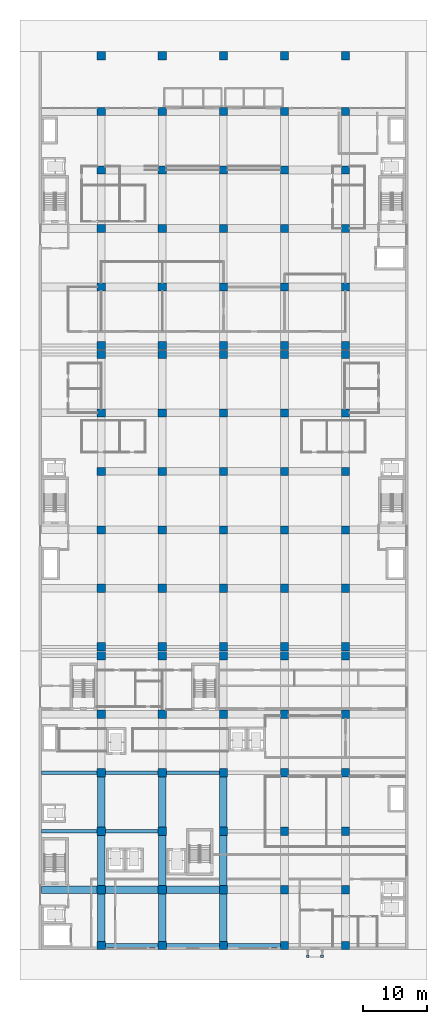
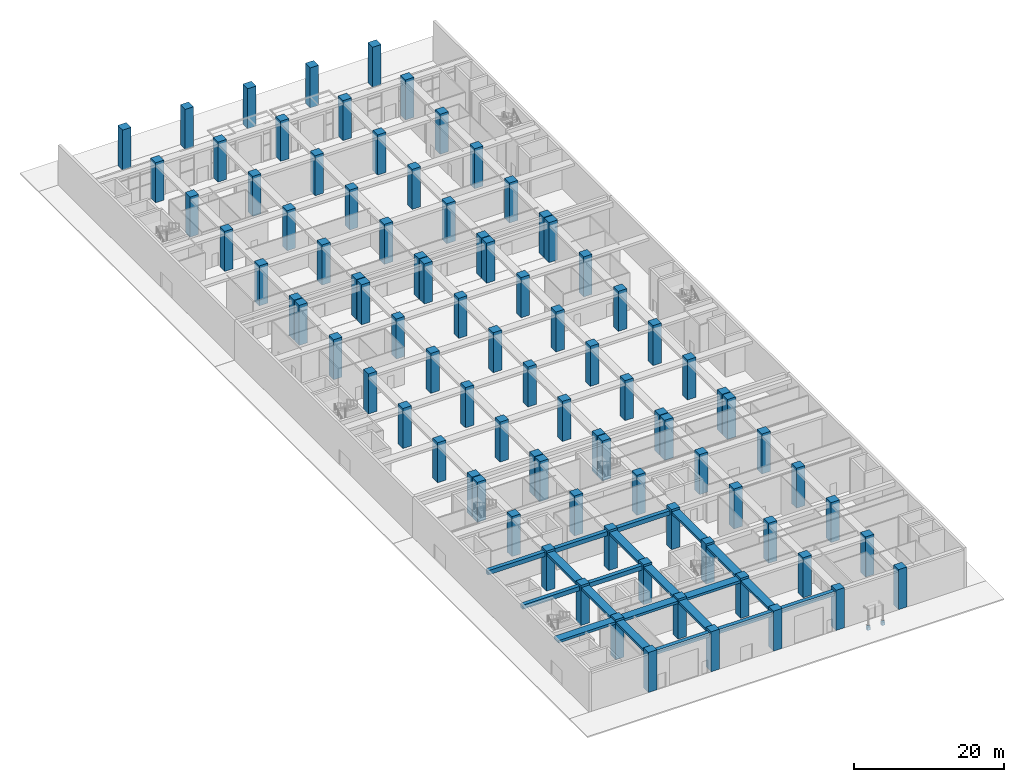
# One storey, part 1 of 45: 90 columns, 20 beams, 2 footings.
"""IFC4 building model written with IfcOpenShell, lengths in metres."""

from ifc_helpers import new_model, si_unit, direction, frame, origin, origin_2d, place, context, subcontext, project, spatial, polyline, rectangle, outline, extrude, material, layer, layer_set, material_profile, profile_set, type_object, element, save


model = new_model("IFC4")

# Units and contexts
model_context = context("Model", 3, precision=1e-05, world=origin(), true_north=direction((0.0, 1.0)))
body_context = subcontext(model_context, "Body", "Model", "MODEL_VIEW")
ifc_project = project(units=[si_unit("LENGTHUNIT", "METRE"), si_unit("AREAUNIT", "SQUARE_METRE"), si_unit("VOLUMEUNIT", "CUBIC_METRE"), si_unit("PLANEANGLEUNIT", "RADIAN"), si_unit("MASSUNIT", "GRAM", prefix="KILO")], contexts=[model_context])

# Site, building, storey
site_placement = place(None, origin())
site = spatial("IfcSite", under=ifc_project, at=site_placement, CompositionType="ELEMENT")
building_placement = place(site_placement, origin())
building = spatial("IfcBuilding", under=site, at=building_placement, Name="Nzadi Deep Aquarium and Research Tower", CompositionType="ELEMENT")
storey_placement = place(building_placement, origin())
storey = spatial("IfcBuildingStorey", under=building, at=storey_placement, Name="G", CompositionType="ELEMENT", Elevation=0.0)

# Footings
ifc_material_1 = material(Name="Concrete C35/45", Category="concrete")
ifc_layer = layer(ifc_material_1, 0.5)
ifc_layer_set = layer_set([ifc_layer], Name="Concrete C35/45")
footing_type = type_object("IfcFootingType", Name="RC post pad footing 450", PredefinedType="PAD_FOOTING", material=ifc_layer_set)
footing_1_placement = place(storey_placement, frame((0.0, 0.0, -0.699951171875)))
element("IfcFooting", 1, at=footing_1_placement, inside=storey, type_object=footing_type, Name="Canopy post pad footing", PredefinedType="PAD_FOOTING", context=body_context, shape_type="SweptSolid", body=[
    extrude(outline(polyline([(41.85009765625, -1.47509765625), (42.300048828125, -1.47509765625), (42.300048828125, -1.02490234375), (41.85009765625, -1.02490234375), (41.85009765625, -1.47509765625)])), origin(), (0.0, 0.0, 1.0), 0.5),
])
footing_2_placement = place(storey_placement, frame((0.0, 0.0, -0.699951171875)))
element("IfcFooting", 2, at=footing_2_placement, inside=storey, type_object=footing_type, Name="Canopy post pad footing", PredefinedType="PAD_FOOTING", context=body_context, shape_type="SweptSolid", body=[
    extrude(outline(polyline([(44.10009765625, -1.47509765625), (44.550048828125, -1.47509765625), (44.550048828125, -1.02490234375), (44.10009765625, -1.02490234375), (44.10009765625, -1.47509765625)])), origin(), (0.0, 0.0, 1.0), 0.5),
])

# Columns
ifc_material_2 = material(Name="Concrete C40/50", Category="concrete")
ifc_material_profile_1 = material_profile(ifc_material_2, rectangle(XDim=1.300048828125, YDim=1.300048828125, at=origin_2d()))
ifc_profile_set_1 = profile_set([ifc_material_profile_1], Name="Concrete C40/50")
column_type = type_object("IfcColumnType", Name="RC 1300x1300", PredefinedType="COLUMN", material=ifc_profile_set_1)
for number, where, z_axis, x_axis, name in (
    (3, (9.60009765625, 0.449951171875, 0.0), (0.0, 0.0, 1.0), (1.0, 0.0, 0.0), "C-Z1-G-B1"),
    (4, (19.199951171875, 0.449951171875, 0.0), (0.0, 0.0, 1.0), (1.0, 0.0, 0.0), "C-Z1-G-C1"),
    (5, (28.800048828125, 0.449951171875, 0.0), (0.0, 0.0, 1.0), (1.0, 0.0, 0.0), "C-Z1-G-D1"),
    (6, (38.39990234375, 0.449951171875, 0.0), (0.0, 0.0, 1.0), (1.0, 0.0, 0.0), "C-Z1-G-E1"),
    (7, (48.0, 0.449951171875, 0.0), (0.0, 0.0, 1.0), (1.0, 0.0, 0.0), "C-Z1-G-F1"),
    (8, (9.60009765625, 9.199951171875, 0.0), (0.0, 0.0, 1.0), (1.0, 0.0, 0.0), "C-Z1-G-B2"),
    (9, (19.199951171875, 9.199951171875, 0.0), (0.0, 0.0, 1.0), (1.0, 0.0, 0.0), "C-Z1-G-C2"),
    (10, (28.800048828125, 9.199951171875, 0.0), (0.0, 0.0, 1.0), (1.0, 0.0, 0.0), "C-Z1-G-D2"),
    (11, (38.39990234375, 9.199951171875, 0.0), (0.0, 0.0, 1.0), (1.0, 0.0, 0.0), "C-Z1-G-E2"),
    (12, (48.0, 9.199951171875, 0.0), (0.0, 0.0, 1.0), (1.0, 0.0, 0.0), "C-Z1-G-F2"),
    (13, (9.60009765625, 18.39990234375, 0.0), (0.0, 0.0, 1.0), (1.0, 0.0, 0.0), "C-Z1-G-B3"),
    (14, (19.199951171875, 18.39990234375, 0.0), (0.0, 0.0, 1.0), (1.0, 0.0, 0.0), "C-Z1-G-C3"),
    (15, (28.800048828125, 18.39990234375, 0.0), (0.0, 0.0, 1.0), (1.0, 0.0, 0.0), "C-Z1-G-D3"),
    (16, (38.39990234375, 18.39990234375, 0.0), (0.0, 0.0, 1.0), (1.0, 0.0, 0.0), "C-Z1-G-E3"),
    (17, (48.0, 18.39990234375, 0.0), (0.0, 0.0, 1.0), (1.0, 0.0, 0.0), "C-Z1-G-F3"),
    (18, (9.60009765625, 27.60009765625, 0.0), (0.0, 0.0, 1.0), (1.0, 0.0, 0.0), "C-Z1-G-B4"),
    (19, (19.199951171875, 27.60009765625, 0.0), (0.0, 0.0, 1.0), (1.0, 0.0, 0.0), "C-Z1-G-C4"),
    (20, (28.800048828125, 27.60009765625, 0.0), (0.0, 0.0, 1.0), (1.0, 0.0, 0.0), "C-Z1-G-D4"),
    (21, (38.39990234375, 27.60009765625, 0.0), (0.0, 0.0, 1.0), (1.0, 0.0, 0.0), "C-Z1-G-E4"),
    (22, (48.0, 27.60009765625, 0.0), (0.0, 0.0, 1.0), (1.0, 0.0, 0.0), "C-Z1-G-F4"),
    (23, (9.60009765625, 36.800048828125, 0.0), (0.0, 0.0, 1.0), (1.0, 0.0, 0.0), "C-Z1-G-B5"),
    (24, (19.199951171875, 36.800048828125, 0.0), (0.0, 0.0, 1.0), (1.0, 0.0, 0.0), "C-Z1-G-C5"),
    (25, (28.800048828125, 36.800048828125, 0.0), (0.0, 0.0, 1.0), (1.0, 0.0, 0.0), "C-Z1-G-D5"),
    (26, (38.39990234375, 36.800048828125, 0.0), (0.0, 0.0, 1.0), (1.0, 0.0, 0.0), "C-Z1-G-E5"),
    (27, (48.0, 36.800048828125, 0.0), (0.0, 0.0, 1.0), (1.0, 0.0, 0.0), "C-Z1-G-F5"),
    (28, (9.60009765625, 46.0, 0.0), (0.0, 0.0, 1.0), (1.0, 0.0, 0.0), "C-Z1-G-B6"),
    (29, (19.199951171875, 46.0, 0.0), (0.0, 0.0, 1.0), (1.0, 0.0, 0.0), "C-Z1-G-C6"),
    (30, (28.800048828125, 46.0, 0.0), (0.0, 0.0, 1.0), (1.0, 0.0, 0.0), "C-Z1-G-D6"),
    (31, (38.39990234375, 46.0, 0.0), (0.0, 0.0, 1.0), (1.0, 0.0, 0.0), "C-Z1-G-E6"),
    (32, (48.0, 46.0, 0.0), (0.0, 0.0, 1.0), (1.0, 0.0, 0.0), "C-Z1-G-F6"),
    (33, (9.60009765625, 47.39990234375, 0.0), (0.0, 0.0, 1.0), (1.0, 0.0, 0.0), "C-Z2-G-B7"),
    (34, (19.199951171875, 47.39990234375, 0.0), (0.0, 0.0, 1.0), (1.0, 0.0, 0.0), "C-Z2-G-C7"),
    (35, (28.800048828125, 47.39990234375, 0.0), (0.0, 0.0, 1.0), (1.0, 0.0, 0.0), "C-Z2-G-D7"),
    (36, (38.39990234375, 47.39990234375, 0.0), (0.0, 0.0, 1.0), (1.0, 0.0, 0.0), "C-Z2-G-E7"),
    (37, (48.0, 47.39990234375, 0.0), (0.0, 0.0, 1.0), (1.0, 0.0, 0.0), "C-Z2-G-F7"),
    (38, (9.60009765625, 56.60009765625, 0.0), (0.0, 0.0, 1.0), (1.0, 0.0, 0.0), "C-Z2-G-B8"),
    (39, (19.199951171875, 56.60009765625, 0.0), (0.0, 0.0, 1.0), (1.0, 0.0, 0.0), "C-Z2-G-C8"),
    (40, (28.800048828125, 56.60009765625, 0.0), (0.0, 0.0, 1.0), (1.0, 0.0, 0.0), "C-Z2-G-D8"),
    (41, (38.39990234375, 56.60009765625, 0.0), (0.0, 0.0, 1.0), (1.0, 0.0, 0.0), "C-Z2-G-E8"),
    (42, (48.0, 56.60009765625, 0.0), (0.0, 0.0, 1.0), (1.0, 0.0, 0.0), "C-Z2-G-F8"),
    (43, (9.60009765625, 65.800048828125, 0.0), (0.0, 0.0, 1.0), (1.0, 0.0, 0.0), "C-Z2-G-B9"),
    (44, (19.199951171875, 65.800048828125, 0.0), (0.0, 0.0, 1.0), (1.0, 0.0, 0.0), "C-Z2-G-C9"),
    (45, (28.800048828125, 65.800048828125, 0.0), (0.0, 0.0, 1.0), (1.0, 0.0, 0.0), "C-Z2-G-D9"),
    (46, (38.39990234375, 65.800048828125, 0.0), (0.0, 0.0, 1.0), (1.0, 0.0, 0.0), "C-Z2-G-E9"),
    (47, (48.0, 65.800048828125, 0.0), (0.0, 0.0, 1.0), (1.0, 0.0, 0.0), "C-Z2-G-F9"),
    (48, (9.60009765625, 75.0, 0.0), (0.0, 0.0, 1.0), (1.0, 0.0, 0.0), "C-Z2-G-B10"),
    (49, (19.199951171875, 75.0, 0.0), (0.0, 0.0, 1.0), (1.0, 0.0, 0.0), "C-Z2-G-C10"),
    (50, (28.800048828125, 75.0, 0.0), (0.0, 0.0, 1.0), (1.0, 0.0, 0.0), "C-Z2-G-D10"),
    (51, (38.39990234375, 75.0, 0.0), (0.0, 0.0, 1.0), (1.0, 0.0, 0.0), "C-Z2-G-E10"),
    (52, (48.0, 75.0, 0.0), (0.0, 0.0, 1.0), (1.0, 0.0, 0.0), "C-Z2-G-F10"),
    (53, (9.60009765625, 84.199951171875, 0.0), (0.0, 0.0, 1.0), (1.0, 0.0, 0.0), "C-Z2-G-B11"),
    (54, (19.199951171875, 84.199951171875, 0.0), (0.0, 0.0, 1.0), (1.0, 0.0, 0.0), "C-Z2-G-C11"),
    (55, (28.800048828125, 84.199951171875, 0.0), (0.0, 0.0, 1.0), (1.0, 0.0, 0.0), "C-Z2-G-D11"),
    (56, (38.39990234375, 84.199951171875, 0.0), (0.0, 0.0, 1.0), (1.0, 0.0, 0.0), "C-Z2-G-E11"),
    (57, (48.0, 84.199951171875, 0.0), (0.0, 0.0, 1.0), (1.0, 0.0, 0.0), "C-Z2-G-F11"),
    (58, (9.60009765625, 93.39990234375, 0.0), (0.0, 0.0, 1.0), (1.0, 0.0, 0.0), "C-Z2-G-B12"),
    (59, (19.199951171875, 93.39990234375, 0.0), (0.0, 0.0, 1.0), (1.0, 0.0, 0.0), "C-Z2-G-C12"),
    (60, (28.800048828125, 93.39990234375, 0.0), (0.0, 0.0, 1.0), (1.0, 0.0, 0.0), "C-Z2-G-D12"),
    (61, (38.39990234375, 93.39990234375, 0.0), (0.0, 0.0, 1.0), (1.0, 0.0, 0.0), "C-Z2-G-E12"),
    (62, (48.0, 93.39990234375, 0.0), (0.0, 0.0, 1.0), (1.0, 0.0, 0.0), "C-Z2-G-F12"),
    (63, (9.60009765625, 94.800048828125, 0.0), (0.0, 0.0, 1.0), (1.0, 0.0, 0.0), "C-Z3-G-B13"),
    (64, (19.199951171875, 94.800048828125, 0.0), (0.0, 0.0, 1.0), (1.0, 0.0, 0.0), "C-Z3-G-C13"),
    (65, (28.800048828125, 94.800048828125, 0.0), (0.0, 0.0, 1.0), (1.0, 0.0, 0.0), "C-Z3-G-D13"),
    (66, (38.39990234375, 94.800048828125, 0.0), (0.0, 0.0, 1.0), (1.0, 0.0, 0.0), "C-Z3-G-E13"),
    (67, (48.0, 94.800048828125, 0.0), (0.0, 0.0, 1.0), (1.0, 0.0, 0.0), "C-Z3-G-F13"),
    (68, (9.60009765625, 104.0, 0.0), (0.0, 0.0, 1.0), (1.0, 0.0, 0.0), "C-Z3-G-B14"),
    (69, (19.199951171875, 104.0, 0.0), (0.0, 0.0, 1.0), (1.0, 0.0, 0.0), "C-Z3-G-C14"),
    (70, (28.800048828125, 104.0, 0.0), (0.0, 0.0, 1.0), (1.0, 0.0, 0.0), "C-Z3-G-D14"),
    (71, (38.39990234375, 104.0, 0.0), (0.0, 0.0, 1.0), (1.0, 0.0, 0.0), "C-Z3-G-E14"),
    (72, (48.0, 104.0, 0.0), (0.0, 0.0, 1.0), (1.0, 0.0, 0.0), "C-Z3-G-F14"),
    (73, (9.60009765625, 113.199951171875, 0.0), (0.0, 0.0, 1.0), (1.0, 0.0, 0.0), "C-Z3-G-B15"),
    (74, (19.199951171875, 113.199951171875, 0.0), (0.0, 0.0, 1.0), (1.0, 0.0, 0.0), "C-Z3-G-C15"),
    (75, (28.800048828125, 113.199951171875, 0.0), (0.0, 0.0, 1.0), (1.0, 0.0, 0.0), "C-Z3-G-D15"),
    (76, (38.39990234375, 113.199951171875, 0.0), (0.0, 0.0, 1.0), (1.0, 0.0, 0.0), "C-Z3-G-E15"),
    (77, (48.0, 113.199951171875, 0.0), (0.0, 0.0, 1.0), (1.0, 0.0, 0.0), "C-Z3-G-F15"),
    (78, (9.60009765625, 122.39990234375, 0.0), (0.0, 0.0, 1.0), (1.0, 0.0, 0.0), "C-Z3-G-B16"),
    (79, (19.199951171875, 122.39990234375, 0.0), (0.0, 0.0, 1.0), (1.0, 0.0, 0.0), "C-Z3-G-C16"),
    (80, (28.800048828125, 122.39990234375, 0.0), (0.0, 0.0, 1.0), (1.0, 0.0, 0.0), "C-Z3-G-D16"),
    (81, (38.39990234375, 122.39990234375, 0.0), (0.0, 0.0, 1.0), (1.0, 0.0, 0.0), "C-Z3-G-E16"),
    (82, (48.0, 122.39990234375, 0.0), (0.0, 0.0, 1.0), (1.0, 0.0, 0.0), "C-Z3-G-F16"),
    (83, (9.60009765625, 131.60009765625, 0.0), (0.0, 0.0, 1.0), (1.0, 0.0, 0.0), "C-Z3-G-B17"),
    (84, (19.199951171875, 131.60009765625, 0.0), (0.0, 0.0, 1.0), (1.0, 0.0, 0.0), "C-Z3-G-C17"),
    (85, (28.800048828125, 131.60009765625, 0.0), (0.0, 0.0, 1.0), (1.0, 0.0, 0.0), "C-Z3-G-D17"),
    (86, (38.39990234375, 131.60009765625, 0.0), (0.0, 0.0, 1.0), (1.0, 0.0, 0.0), "C-Z3-G-E17"),
    (87, (48.0, 131.60009765625, 0.0), (0.0, 0.0, 1.0), (1.0, 0.0, 0.0), "C-Z3-G-F17"),
    (88, (9.60009765625, 140.35009765625, 0.0), (0.0, 0.0, 1.0), (1.0, 0.0, 0.0), "C-Z3-G-B18"),
    (89, (19.199951171875, 140.35009765625, 0.0), (0.0, 0.0, 1.0), (1.0, 0.0, 0.0), "C-Z3-G-C18"),
    (90, (28.800048828125, 140.35009765625, 0.0), (0.0, 0.0, 1.0), (1.0, 0.0, 0.0), "C-Z3-G-D18"),
    (91, (38.39990234375, 140.35009765625, 0.0), (0.0, 0.0, 1.0), (1.0, 0.0, 0.0), "C-Z3-G-E18"),
    (92, (48.0, 140.35009765625, 0.0), (0.0, 0.0, 1.0), (1.0, 0.0, 0.0), "C-Z3-G-F18"),
):
    element("IfcColumn", number, at=place(storey_placement, frame(where, z_axis=z_axis, x_axis=x_axis)), inside=storey, type_object=column_type, Name=name, PredefinedType="COLUMN", context=body_context, shape_type="SweptSolid", body=[
        extrude(rectangle(XDim=1.300048828125, YDim=1.300048828125, at=origin_2d()), origin(), (0.0, 0.0, 1.0), 6.5),
    ])

# Beams
ifc_material_3 = material(Name="Concrete C35/45", Category="concrete")
ifc_material_profile_2 = material_profile(ifc_material_3, rectangle(XDim=1.199951171875, YDim=0.39990234375, at=origin_2d()))
ifc_profile_set_2 = profile_set([ifc_material_profile_2], Name="Concrete C35/45")
beam_type_1 = type_object("IfcBeamType", Name="RC 1200x400", PredefinedType="BEAM", material=ifc_profile_set_2)
beam_1_placement = place(storey_placement, frame((0.199951171875, 9.199951171875, 5.949951171875), z_axis=(1.0, 0.0, 0.0), x_axis=(0.0, 1.0, 0.0)))
element("IfcBeam", 93, at=beam_1_placement, inside=storey, type_object=beam_type_1, Name="B-Z1-G-L2-1", PredefinedType="BEAM", context=body_context, shape_type="SweptSolid", body=[
    extrude(rectangle(XDim=1.199951171875, YDim=0.39990234375, at=origin_2d()), origin(), (0.0, 0.0, 1.0), 8.75),
])
beam_2_placement = place(storey_placement, frame((10.25, 9.199951171875, 5.949951171875), z_axis=(1.0, 0.0, 0.0), x_axis=(0.0, 1.0, 0.0)))
element("IfcBeam", 94, at=beam_2_placement, inside=storey, type_object=beam_type_1, Name="B-Z1-G-L2-2", PredefinedType="BEAM", context=body_context, shape_type="SweptSolid", body=[
    extrude(rectangle(XDim=1.199951171875, YDim=0.39990234375, at=origin_2d()), origin(), (0.0, 0.0, 1.0), 8.300048828125),
])
beam_3_placement = place(storey_placement, frame((19.85009765625, 9.199951171875, 5.949951171875), z_axis=(1.0, 0.0, 0.0), x_axis=(0.0, 1.0, 0.0)))
element("IfcBeam", 95, at=beam_3_placement, inside=storey, type_object=beam_type_1, Name="B-Z1-G-L2-3", PredefinedType="BEAM", context=body_context, shape_type="SweptSolid", body=[
    extrude(rectangle(XDim=1.199951171875, YDim=0.39990234375, at=origin_2d()), origin(), (0.0, 0.0, 1.0), 8.2998046875),
])
beam_4_placement = place(storey_placement, frame((9.60009765625, 1.10009765625, 5.949951171875), z_axis=(0.0, 1.0, 0.0), x_axis=(-1.0, 0.0, 0.0)))
element("IfcBeam", 96, at=beam_4_placement, inside=storey, type_object=beam_type_1, Name="B-Z1-G-CB-1-1", PredefinedType="BEAM", context=body_context, shape_type="SweptSolid", body=[
    extrude(rectangle(XDim=1.199951171875, YDim=0.39990234375, at=origin_2d()), origin(), (0.0, 0.0, 1.0), 7.449951171875),
])
for number, where, z_axis, x_axis, name in (
    (97, (9.60009765625, 9.85009765625, 5.949951171875), (0.0, 1.0, 0.0), (-1.0, 0.0, 0.0), "B-Z1-G-CB-2-1"),
    (98, (9.60009765625, 19.050048828125, 5.949951171875), (0.0, 1.0, 0.0), (-1.0, 0.0, 0.0), "B-Z1-G-CB-3-1"),
):
    element("IfcBeam", number, at=place(storey_placement, frame(where, z_axis=z_axis, x_axis=x_axis)), inside=storey, type_object=beam_type_1, Name=name, PredefinedType="BEAM", context=body_context, shape_type="SweptSolid", body=[
        extrude(rectangle(XDim=1.199951171875, YDim=0.39990234375, at=origin_2d()), origin(), (0.0, 0.0, 1.0), 7.89990234375),
    ])
beam_5_placement = place(storey_placement, frame((19.199951171875, 1.10009765625, 5.949951171875), z_axis=(0.0, 1.0, 0.0), x_axis=(-1.0, 0.0, 0.0)))
element("IfcBeam", 99, at=beam_5_placement, inside=storey, type_object=beam_type_1, Name="B-Z1-G-CC-1-1", PredefinedType="BEAM", context=body_context, shape_type="SweptSolid", body=[
    extrude(rectangle(XDim=1.199951171875, YDim=0.39990234375, at=origin_2d()), origin(), (0.0, 0.0, 1.0), 7.449951171875),
])
for number, where, z_axis, x_axis, name in (
    (100, (19.199951171875, 9.85009765625, 5.949951171875), (0.0, 1.0, 0.0), (-1.0, 0.0, 0.0), "B-Z1-G-CC-2-1"),
    (101, (19.199951171875, 19.050048828125, 5.949951171875), (0.0, 1.0, 0.0), (-1.0, 0.0, 0.0), "B-Z1-G-CC-3-1"),
):
    element("IfcBeam", number, at=place(storey_placement, frame(where, z_axis=z_axis, x_axis=x_axis)), inside=storey, type_object=beam_type_1, Name=name, PredefinedType="BEAM", context=body_context, shape_type="SweptSolid", body=[
        extrude(rectangle(XDim=1.199951171875, YDim=0.39990234375, at=origin_2d()), origin(), (0.0, 0.0, 1.0), 7.89990234375),
    ])
beam_6_placement = place(storey_placement, frame((28.800048828125, 1.10009765625, 5.949951171875), z_axis=(0.0, 1.0, 0.0), x_axis=(-1.0, 0.0, 0.0)))
element("IfcBeam", 102, at=beam_6_placement, inside=storey, type_object=beam_type_1, Name="B-Z1-G-CD-1-1", PredefinedType="BEAM", context=body_context, shape_type="SweptSolid", body=[
    extrude(rectangle(XDim=1.199951171875, YDim=0.39990234375, at=origin_2d()), origin(), (0.0, 0.0, 1.0), 7.449951171875),
])
for number, where, z_axis, x_axis, name in (
    (103, (28.800048828125, 9.85009765625, 5.949951171875), (0.0, 1.0, 0.0), (-1.0, 0.0, 0.0), "B-Z1-G-CD-2-1"),
    (104, (28.800048828125, 19.050048828125, 5.949951171875), (0.0, 1.0, 0.0), (-1.0, 0.0, 0.0), "B-Z1-G-CD-3-1"),
):
    element("IfcBeam", number, at=place(storey_placement, frame(where, z_axis=z_axis, x_axis=x_axis)), inside=storey, type_object=beam_type_1, Name=name, PredefinedType="BEAM", context=body_context, shape_type="SweptSolid", body=[
        extrude(rectangle(XDim=1.199951171875, YDim=0.39990234375, at=origin_2d()), origin(), (0.0, 0.0, 1.0), 7.89990234375),
    ])
ifc_material_4 = material(Name="Concrete C35/45", Category="concrete")
ifc_material_profile_3 = material_profile(ifc_material_4, rectangle(XDim=0.60009765625, YDim=0.699951171875, at=origin_2d()))
ifc_profile_set_3 = profile_set([ifc_material_profile_3], Name="Concrete C35/45")
beam_type_2 = type_object("IfcBeamType", Name="RC 600x700", PredefinedType="BEAM", material=ifc_profile_set_3)
beam_7_placement = place(storey_placement, frame((10.25, 0.449951171875, 5.800048828125), z_axis=(1.0, 0.0, 0.0), x_axis=(0.0, 1.0, 0.0)))
element("IfcBeam", 105, at=beam_7_placement, inside=storey, type_object=beam_type_2, Name="B-Z1-G-L1-2", PredefinedType="BEAM", context=body_context, shape_type="SweptSolid", body=[
    extrude(rectangle(XDim=0.60009765625, YDim=0.699951171875, at=origin_2d()), origin(), (0.0, 0.0, 1.0), 8.300048828125),
])
beam_8_placement = place(storey_placement, frame((19.85009765625, 0.449951171875, 5.800048828125), z_axis=(1.0, 0.0, 0.0), x_axis=(0.0, 1.0, 0.0)))
element("IfcBeam", 106, at=beam_8_placement, inside=storey, type_object=beam_type_2, Name="B-Z1-G-L1-3", PredefinedType="BEAM", context=body_context, shape_type="SweptSolid", body=[
    extrude(rectangle(XDim=0.60009765625, YDim=0.699951171875, at=origin_2d()), origin(), (0.0, 0.0, 1.0), 8.2998046875),
])
beam_9_placement = place(storey_placement, frame((29.449951171875, 0.449951171875, 5.800048828125), z_axis=(1.0, 0.0, 0.0), x_axis=(0.0, 1.0, 0.0)))
element("IfcBeam", 107, at=beam_9_placement, inside=storey, type_object=beam_type_2, Name="B-Z1-G-L1-4", PredefinedType="BEAM", context=body_context, shape_type="SweptSolid", body=[
    extrude(rectangle(XDim=0.60009765625, YDim=0.699951171875, at=origin_2d()), origin(), (0.0, 0.0, 1.0), 8.300048828125),
])
beam_10_placement = place(storey_placement, frame((0.199951171875, 18.39990234375, 5.800048828125), z_axis=(1.0, 0.0, 0.0), x_axis=(0.0, 1.0, 0.0)))
element("IfcBeam", 108, at=beam_10_placement, inside=storey, type_object=beam_type_2, Name="B-Z1-G-L3-1", PredefinedType="BEAM", context=body_context, shape_type="SweptSolid", body=[
    extrude(rectangle(XDim=0.60009765625, YDim=0.699951171875, at=origin_2d()), origin(), (0.0, 0.0, 1.0), 8.75),
])
beam_11_placement = place(storey_placement, frame((10.25, 18.39990234375, 5.800048828125), z_axis=(1.0, 0.0, 0.0), x_axis=(0.0, 1.0, 0.0)))
element("IfcBeam", 109, at=beam_11_placement, inside=storey, type_object=beam_type_2, Name="B-Z1-G-L3-2", PredefinedType="BEAM", context=body_context, shape_type="SweptSolid", body=[
    extrude(rectangle(XDim=0.60009765625, YDim=0.699951171875, at=origin_2d()), origin(), (0.0, 0.0, 1.0), 8.300048828125),
])
beam_12_placement = place(storey_placement, frame((0.199951171875, 27.60009765625, 5.800048828125), z_axis=(1.0, 0.0, 0.0), x_axis=(0.0, 1.0, 0.0)))
element("IfcBeam", 110, at=beam_12_placement, inside=storey, type_object=beam_type_2, Name="B-Z1-G-L4-1", PredefinedType="BEAM", context=body_context, shape_type="SweptSolid", body=[
    extrude(rectangle(XDim=0.60009765625, YDim=0.699951171875, at=origin_2d()), origin(), (0.0, 0.0, 1.0), 8.75),
])
beam_13_placement = place(storey_placement, frame((10.25, 27.60009765625, 5.800048828125), z_axis=(1.0, 0.0, 0.0), x_axis=(0.0, 1.0, 0.0)))
element("IfcBeam", 111, at=beam_13_placement, inside=storey, type_object=beam_type_2, Name="B-Z1-G-L4-2", PredefinedType="BEAM", context=body_context, shape_type="SweptSolid", body=[
    extrude(rectangle(XDim=0.60009765625, YDim=0.699951171875, at=origin_2d()), origin(), (0.0, 0.0, 1.0), 8.300048828125),
])
beam_14_placement = place(storey_placement, frame((19.85009765625, 27.60009765625, 5.800048828125), z_axis=(1.0, 0.0, 0.0), x_axis=(0.0, 1.0, 0.0)))
element("IfcBeam", 112, at=beam_14_placement, inside=storey, type_object=beam_type_2, Name="B-Z1-G-L4-3", PredefinedType="BEAM", context=body_context, shape_type="SweptSolid", body=[
    extrude(rectangle(XDim=0.60009765625, YDim=0.699951171875, at=origin_2d()), origin(), (0.0, 0.0, 1.0), 8.2998046875),
])

save(model, "model.ifc")
